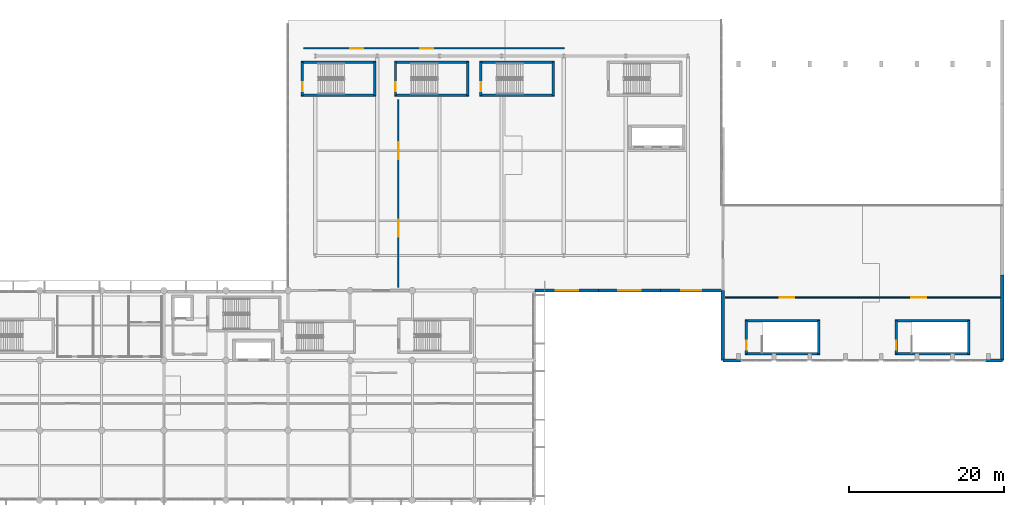
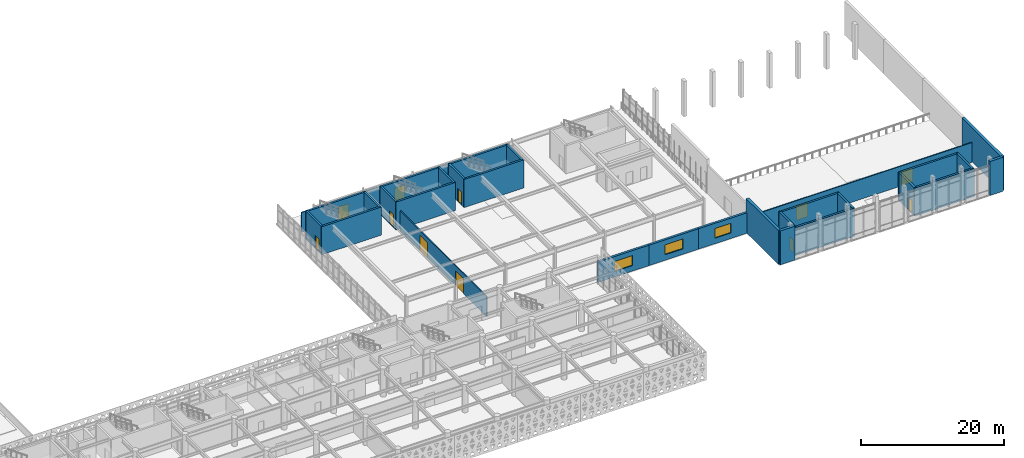
# One storey, part 39 of 54: 30 walls, 11 doors, 3 windows, 14 openings.
"""IFC4 building model written with IfcOpenShell, lengths in metres."""

from ifc_helpers import new_model, si_unit, direction, frame, frame_2d, origin, place, context, subcontext, project, spatial, rectangle, extrude, material, layer, layer_set, type_object, element, fill, save


model = new_model("IFC4")

# Units and contexts
model_context = context("Model", 3, precision=1e-05, world=origin(), true_north=direction((0.0, 1.0)))
body_context = subcontext(model_context, "Body", "Model", "MODEL_VIEW")
ifc_project = project(units=[si_unit("LENGTHUNIT", "METRE"), si_unit("AREAUNIT", "SQUARE_METRE"), si_unit("VOLUMEUNIT", "CUBIC_METRE"), si_unit("PLANEANGLEUNIT", "RADIAN"), si_unit("MASSUNIT", "GRAM", prefix="KILO")], contexts=[model_context])

# Site, building, storey
site_placement = place(None, origin())
site = spatial("IfcSite", under=ifc_project, at=site_placement, CompositionType="ELEMENT")
building_placement = place(site_placement, origin())
building = spatial("IfcBuilding", under=site, at=building_placement, Name="Tlacozan Convention Centre", CompositionType="ELEMENT")
storey_placement = place(building_placement, frame((0.0, 0.0, 11.39990234375)))
storey = spatial("IfcBuildingStorey", under=building, at=storey_placement, Name="L02", CompositionType="ELEMENT", Elevation=11.39990234375)

# Wall, opening, window
ifc_material_1 = material(Name="Volcanic Cantera Stone Masonry", Category="masonry")
ifc_layer_1 = layer(ifc_material_1, 0.35009765625)
ifc_layer_set_1 = layer_set([ifc_layer_1], Name="Volcanic Cantera Stone Masonry")
wall_type_1 = type_object("IfcWallType", Name="Cantera Cavity Facade Wall 350", PredefinedType="SOLIDWALL", material=ifc_layer_set_1)
wall_1_placement = place(storey_placement, frame((119.800048828125, 27.0, 0.0), z_axis=(0.0, 0.0, 1.0), x_axis=(1.0, 0.0, 0.0)))
wall_1 = element("IfcWall", 1, at=wall_1_placement, inside=storey, type_object=wall_type_1, Name="L02 Cantera Cavity Facade Wall 350 190", PredefinedType="SOLIDWALL", context=body_context, shape_type="SweptSolid", body=[
    extrude(rectangle(XDim=8.199951171875, YDim=0.35009765625, at=frame_2d((4.10009765625, 0.0))), origin(), (0.0, 0.0, 1.0), 3.5),
])
opening_1_placement = place(wall_1_placement, frame((2.64990234375, 0.0, 0.949951171875)))
opening_1 = element("IfcOpeningElement", 2, at=opening_1_placement, cuts=wall_1, Name="Opening WN-16", PredefinedType="OPENING", context=body_context, shape_type="SweptSolid", body=[
    extrude(rectangle(XDim=2.89990234375, YDim=1.699951171875, at=frame_2d((1.449951171875, 0.85009765625))), frame((0.0, 0.18505859375, 0.0), z_axis=(0.0, -1.0, 0.0), x_axis=(1.0, 0.0, 0.0)), (0.0, 0.0, 1.0), 0.3701171875),
])
ifc_material_2 = material(Name="Solar Control Double Low-E Argon Glazing", Category="glass")
window_type_1 = type_object("IfcWindowType", Name="Business Centre Window 2900x1700", PartitioningType="SINGLE_PANEL", PredefinedType="WINDOW", material=ifc_material_2)
window_1_placement = place(opening_1_placement, origin())
window_1 = element("IfcWindow", 3, at=window_1_placement, inside=storey, type_object=window_type_1, Name="L02 Business Centre Window 2900x1700 60", OverallHeight=1.699951171875, OverallWidth=2.89990234375, PartitioningType="SINGLE_PANEL", PredefinedType="WINDOW", context=body_context, shape_type="SweptSolid", body=[
    extrude(rectangle(XDim=2.89990234375, YDim=1.699951171875, at=frame_2d((1.449951171875, 0.85009765625))), frame((0.0, 0.030029296875, 0.0), z_axis=(0.0, -1.0, 0.0), x_axis=(1.0, 0.0, 0.0)), (0.0, 0.0, 1.0), 0.06005859375),
])
fill(opening_1, window_1)

wall_2_placement = place(storey_placement, frame((128.0, 27.0, 0.0), z_axis=(0.0, 0.0, 1.0), x_axis=(1.0, 0.0, 0.0)))
wall_2 = element("IfcWall", 4, at=wall_2_placement, inside=storey, type_object=wall_type_1, Name="L02 Cantera Cavity Facade Wall 350 192", PredefinedType="SOLIDWALL", context=body_context, shape_type="SweptSolid", body=[
    extrude(rectangle(XDim=8.0, YDim=0.35009765625, at=frame_2d((4.0, 0.0))), origin(), (0.0, 0.0, 1.0), 3.5),
])
opening_2_placement = place(wall_2_placement, frame((2.550048828125, 0.0, 0.949951171875)))
opening_2 = element("IfcOpeningElement", 5, at=opening_2_placement, cuts=wall_2, Name="Opening WN-16", PredefinedType="OPENING", context=body_context, shape_type="SweptSolid", body=[
    extrude(rectangle(XDim=2.89990234375, YDim=1.699951171875, at=frame_2d((1.449951171875, 0.85009765625))), frame((0.0, 0.18505859375, 0.0), z_axis=(0.0, -1.0, 0.0), x_axis=(1.0, 0.0, 0.0)), (0.0, 0.0, 1.0), 0.3701171875),
])
window_2_placement = place(opening_2_placement, origin())
window_2 = element("IfcWindow", 6, at=window_2_placement, inside=storey, type_object=window_type_1, Name="L02 Business Centre Window 2900x1700 61", OverallHeight=1.699951171875, OverallWidth=2.89990234375, PartitioningType="SINGLE_PANEL", PredefinedType="WINDOW", context=body_context, shape_type="SweptSolid", body=[
    extrude(rectangle(XDim=2.89990234375, YDim=1.699951171875, at=frame_2d((1.449951171875, 0.85009765625))), frame((0.0, 0.030029296875, 0.0), z_axis=(0.0, -1.0, 0.0), x_axis=(1.0, 0.0, 0.0)), (0.0, 0.0, 1.0), 0.06005859375),
])
fill(opening_2, window_2)

wall_3_placement = place(storey_placement, frame((136.0, 27.0, 0.0), z_axis=(0.0, 0.0, 1.0), x_axis=(1.0, 0.0, 0.0)))
wall_3 = element("IfcWall", 7, at=wall_3_placement, inside=storey, type_object=wall_type_1, Name="L02 Cantera Cavity Facade Wall 350 194", PredefinedType="SOLIDWALL", context=body_context, shape_type="SweptSolid", body=[
    extrude(rectangle(XDim=7.85009765625, YDim=0.35009765625, at=frame_2d((3.925048828125, 0.0))), origin(), (0.0, 0.0, 1.0), 3.5),
])
opening_3_placement = place(wall_3_placement, frame((2.625, 0.0, 0.949951171875)))
opening_3 = element("IfcOpeningElement", 8, at=opening_3_placement, cuts=wall_3, Name="Opening WN-15", PredefinedType="OPENING", context=body_context, shape_type="SweptSolid", body=[
    extrude(rectangle(XDim=2.60009765625, YDim=1.64990234375, at=frame_2d((1.300048828125, 0.824951171875))), frame((0.0, 0.18505859375, 0.0), z_axis=(0.0, -1.0, 0.0), x_axis=(1.0, 0.0, 0.0)), (0.0, 0.0, 1.0), 0.3701171875),
])
window_type_2 = type_object("IfcWindowType", Name="Organiser Office Window 2600x1650", PartitioningType="SINGLE_PANEL", PredefinedType="WINDOW", material=ifc_material_2)
window_3_placement = place(opening_3_placement, origin())
window_3 = element("IfcWindow", 9, at=window_3_placement, inside=storey, type_object=window_type_2, Name="L02 Organiser Office Window 2600x1650 63", OverallHeight=1.64990234375, OverallWidth=2.60009765625, PartitioningType="SINGLE_PANEL", PredefinedType="WINDOW", context=body_context, shape_type="SweptSolid", body=[
    extrude(rectangle(XDim=2.60009765625, YDim=1.64990234375, at=frame_2d((1.300048828125, 0.824951171875))), frame((0.0, 0.030029296875, 0.0), z_axis=(0.0, -1.0, 0.0), x_axis=(1.0, 0.0, 0.0)), (0.0, 0.0, 1.0), 0.06005859375),
])
fill(opening_3, window_3)

# Wall, openings, doors
ifc_material_3 = material(Name="Acoustic Double-Stud Partition Assembly")
ifc_layer_2 = layer(ifc_material_3, 0.159912109375)
ifc_layer_set_2 = layer_set([ifc_layer_2], Name="Acoustic Double-Stud Partition Assembly")
wall_type_2 = type_object("IfcWallType", Name="Meeting Acoustic Partition 160", PredefinedType="PARTITIONING", material=ifc_layer_set_2)
wall_4_placement = place(storey_placement, frame((102.199951171875, 27.39990234375, 0.0), z_axis=(0.0, 0.0, 1.0), x_axis=(0.0, 1.0, 0.0)))
wall_4 = element("IfcWall", 10, at=wall_4_placement, inside=storey, type_object=wall_type_2, Name="L02 Meeting Acoustic Partition 160 623", PredefinedType="PARTITIONING", context=body_context, shape_type="SweptSolid", body=[
    extrude(rectangle(XDim=24.2001953125, YDim=0.159912109375, at=frame_2d((12.10009765625, 0.0))), origin(), (0.0, 0.0, 1.0), 3.400146484375),
])
opening_4_placement = place(wall_4_placement, frame((6.5, 0.0, 0.0)))
opening_4 = element("IfcOpeningElement", 11, at=opening_4_placement, cuts=wall_4, Name="Opening ID-08", PredefinedType="OPENING", context=body_context, shape_type="SweptSolid", body=[
    extrude(rectangle(XDim=2.199951171875, YDim=2.60009765625, at=frame_2d((1.10009765625, 1.300048828125))), frame((0.0, 0.08984375, 0.0), z_axis=(0.0, -1.0, 0.0), x_axis=(1.0, 0.0, 0.0)), (0.0, 0.0, 1.0), 0.179931640625),
])
opening_5_placement = place(wall_4_placement, frame((16.5, 0.0, 0.0)))
opening_5 = element("IfcOpeningElement", 12, at=opening_5_placement, cuts=wall_4, Name="Opening ID-08", PredefinedType="OPENING", context=body_context, shape_type="SweptSolid", body=[
    extrude(rectangle(XDim=2.199951171875, YDim=2.60009765625, at=frame_2d((1.10009765625, 1.300048828125))), frame((0.0, 0.08984375, 0.0), z_axis=(0.0, -1.0, 0.0), x_axis=(1.0, 0.0, 0.0)), (0.0, 0.0, 1.0), 0.179931640625),
])
ifc_material_4 = material(Name="Acoustic Solid-Core Oak Veneer Door")
door_type_1 = type_object("IfcDoorType", Name="Ballroom Acoustic Double Door 2200x2600", OperationType="DOUBLE_DOOR_SINGLE_SWING", PredefinedType="DOOR", material=ifc_material_4)
door_1_placement = place(opening_4_placement, origin())
door_1 = element("IfcDoor", 13, at=door_1_placement, inside=storey, type_object=door_type_1, Name="L02 Ballroom Acoustic Double Door 2200x2600 222", OperationType="DOUBLE_DOOR_SINGLE_SWING", OverallHeight=2.60009765625, OverallWidth=2.199951171875, PredefinedType="DOOR", context=body_context, shape_type="SweptSolid", body=[
    extrude(rectangle(XDim=2.199951171875, YDim=2.60009765625, at=frame_2d((1.10009765625, 1.300048828125))), frame((0.0, 0.02490234375, 0.0), z_axis=(0.0, -1.0, 0.0), x_axis=(1.0, 0.0, 0.0)), (0.0, 0.0, 1.0), 0.050048828125),
])
fill(opening_4, door_1)
door_2_placement = place(opening_5_placement, origin())
door_2 = element("IfcDoor", 14, at=door_2_placement, inside=storey, type_object=door_type_1, Name="L02 Ballroom Acoustic Double Door 2200x2600 223", OperationType="DOUBLE_DOOR_SINGLE_SWING", OverallHeight=2.60009765625, OverallWidth=2.199951171875, PredefinedType="DOOR", context=body_context, shape_type="SweptSolid", body=[
    extrude(rectangle(XDim=2.199951171875, YDim=2.60009765625, at=frame_2d((1.10009765625, 1.300048828125))), frame((0.0, 0.02490234375, 0.0), z_axis=(0.0, -1.0, 0.0), x_axis=(1.0, 0.0, 0.0)), (0.0, 0.0, 1.0), 0.050048828125),
])
fill(opening_5, door_2)

wall_5_placement = place(storey_placement, frame((90.0, 58.199951171875, 0.0), z_axis=(0.0, 0.0, 1.0), x_axis=(1.0, 0.0, 0.0)))
wall_5 = element("IfcWall", 15, at=wall_5_placement, inside=storey, type_object=wall_type_2, Name="L02 Meeting Acoustic Partition 160 624", PredefinedType="PARTITIONING", context=body_context, shape_type="SweptSolid", body=[
    extrude(rectangle(XDim=33.60009765625, YDim=0.159912109375, at=frame_2d((16.800048828125, 0.0))), origin(), (0.0, 0.0, 1.0), 3.400146484375),
])
opening_6_placement = place(wall_5_placement, frame((6.0, 0.0, 0.0)))
opening_6 = element("IfcOpeningElement", 16, at=opening_6_placement, cuts=wall_5, Name="Opening ID-11", PredefinedType="OPENING", context=body_context, shape_type="SweptSolid", body=[
    extrude(rectangle(XDim=1.699951171875, YDim=2.25, at=frame_2d((0.85009765625, 1.125))), frame((0.0, 0.08984375, 0.0), z_axis=(0.0, -1.0, 0.0), x_axis=(1.0, 0.0, 0.0)), (0.0, 0.0, 1.0), 0.179931640625),
])
opening_7_placement = place(wall_5_placement, frame((15.0, 0.0, 0.0)))
opening_7 = element("IfcOpeningElement", 17, at=opening_7_placement, cuts=wall_5, Name="Opening ID-11", PredefinedType="OPENING", context=body_context, shape_type="SweptSolid", body=[
    extrude(rectangle(XDim=1.699951171875, YDim=2.25, at=frame_2d((0.85009765625, 1.125))), frame((0.0, 0.08984375, 0.0), z_axis=(0.0, -1.0, 0.0), x_axis=(1.0, 0.0, 0.0)), (0.0, 0.0, 1.0), 0.179931640625),
])
door_type_2 = type_object("IfcDoorType", Name="Banquet Kitchen Double Swing Door 1700x2250", OperationType="DOUBLE_SWING_LEFT", PredefinedType="DOOR", material=ifc_material_4)
door_3_placement = place(opening_6_placement, origin())
door_3 = element("IfcDoor", 18, at=door_3_placement, inside=storey, type_object=door_type_2, Name="L02 Banquet Kitchen Double Swing Door 1700x2250 224", OperationType="DOUBLE_SWING_LEFT", OverallHeight=2.25, OverallWidth=1.699951171875, PredefinedType="DOOR", context=body_context, shape_type="SweptSolid", body=[
    extrude(rectangle(XDim=1.699951171875, YDim=2.25, at=frame_2d((0.85009765625, 1.125))), frame((0.0, 0.02490234375, 0.0), z_axis=(0.0, -1.0, 0.0), x_axis=(1.0, 0.0, 0.0)), (0.0, 0.0, 1.0), 0.050048828125),
])
fill(opening_6, door_3)
door_4_placement = place(opening_7_placement, origin())
door_4 = element("IfcDoor", 19, at=door_4_placement, inside=storey, type_object=door_type_2, Name="L02 Banquet Kitchen Double Swing Door 1700x2250 225", OperationType="DOUBLE_SWING_LEFT", OverallHeight=2.25, OverallWidth=1.699951171875, PredefinedType="DOOR", context=body_context, shape_type="SweptSolid", body=[
    extrude(rectangle(XDim=1.699951171875, YDim=2.25, at=frame_2d((0.85009765625, 1.125))), frame((0.0, 0.02490234375, 0.0), z_axis=(0.0, -1.0, 0.0), x_axis=(1.0, 0.0, 0.0)), (0.0, 0.0, 1.0), 0.050048828125),
])
fill(opening_7, door_4)

wall_6_placement = place(storey_placement, frame((144.300048828125, 26.10009765625, 0.0), z_axis=(0.0, 0.0, 1.0), x_axis=(1.0, 0.0, 0.0)))
wall_6 = element("IfcWall", 20, at=wall_6_placement, inside=storey, type_object=wall_type_2, Name="L02 Meeting Acoustic Partition 160 626", PredefinedType="PARTITIONING", context=body_context, shape_type="SweptSolid", body=[
    extrude(rectangle(XDim=35.39990234375, YDim=0.159912109375, at=frame_2d((17.699951171875, 0.0))), origin(), (0.0, 0.0, 1.0), 3.400146484375),
])
opening_8_placement = place(wall_6_placement, frame((7.0, 0.0, 0.0)))
opening_8 = element("IfcOpeningElement", 21, at=opening_8_placement, cuts=wall_6, Name="Opening ID-09", PredefinedType="OPENING", context=body_context, shape_type="SweptSolid", body=[
    extrude(rectangle(XDim=1.89990234375, YDim=2.39990234375, at=frame_2d((0.949951171875, 1.199951171875))), frame((0.0, 0.08984375, 0.0), z_axis=(0.0, -1.0, 0.0), x_axis=(1.0, 0.0, 0.0)), (0.0, 0.0, 1.0), 0.179931640625),
])
opening_9_placement = place(wall_6_placement, frame((24.0, 0.0, 0.0)))
opening_9 = element("IfcOpeningElement", 22, at=opening_9_placement, cuts=wall_6, Name="Opening ID-09", PredefinedType="OPENING", context=body_context, shape_type="SweptSolid", body=[
    extrude(rectangle(XDim=1.89990234375, YDim=2.39990234375, at=frame_2d((0.949951171875, 1.199951171875))), frame((0.0, 0.08984375, 0.0), z_axis=(0.0, -1.0, 0.0), x_axis=(1.0, 0.0, 0.0)), (0.0, 0.0, 1.0), 0.179931640625),
])
door_type_3 = type_object("IfcDoorType", Name="Auditorium Vomitory Double Door 1900x2400", OperationType="DOUBLE_DOOR_SINGLE_SWING", PredefinedType="DOOR", material=ifc_material_4)
door_5_placement = place(opening_8_placement, origin())
door_5 = element("IfcDoor", 23, at=door_5_placement, inside=storey, type_object=door_type_3, Name="L02 Auditorium Vomitory Double Door 1900x2400 227", OperationType="DOUBLE_DOOR_SINGLE_SWING", OverallHeight=2.39990234375, OverallWidth=1.89990234375, PredefinedType="DOOR", context=body_context, shape_type="SweptSolid", body=[
    extrude(rectangle(XDim=1.89990234375, YDim=2.39990234375, at=frame_2d((0.949951171875, 1.199951171875))), frame((0.0, 0.02490234375, 0.0), z_axis=(0.0, -1.0, 0.0), x_axis=(1.0, 0.0, 0.0)), (0.0, 0.0, 1.0), 0.050048828125),
])
fill(opening_8, door_5)
door_6_placement = place(opening_9_placement, origin())
door_6 = element("IfcDoor", 24, at=door_6_placement, inside=storey, type_object=door_type_3, Name="L02 Auditorium Vomitory Double Door 1900x2400 228", OperationType="DOUBLE_DOOR_SINGLE_SWING", OverallHeight=2.39990234375, OverallWidth=1.89990234375, PredefinedType="DOOR", context=body_context, shape_type="SweptSolid", body=[
    extrude(rectangle(XDim=1.89990234375, YDim=2.39990234375, at=frame_2d((0.949951171875, 1.199951171875))), frame((0.0, 0.02490234375, 0.0), z_axis=(0.0, -1.0, 0.0), x_axis=(1.0, 0.0, 0.0)), (0.0, 0.0, 1.0), 0.050048828125),
])
fill(opening_9, door_6)

# Walls
ifc_material_5 = material(Name="Concrete C40/50", Category="concrete")
ifc_layer_3 = layer(ifc_material_5, 0.429931640625)
ifc_layer_set_3 = layer_set([ifc_layer_3], Name="Concrete C40/50")
wall_type_3 = type_object("IfcWallType", Name="Plenary Acoustic Stone Wall 430", PredefinedType="SOLIDWALL", material=ifc_layer_set_3)
wall_7_placement = place(storey_placement, frame((180.0, 18.0, 0.0), z_axis=(0.0, 0.0, 1.0), x_axis=(0.0, 1.0, 0.0)))
element("IfcWall", 25, at=wall_7_placement, inside=storey, type_object=wall_type_3, Name="L02 Plenary Acoustic Stone Wall 430 160", PredefinedType="SOLIDWALL", context=body_context, shape_type="SweptSolid", body=[
    extrude(rectangle(XDim=11.0, YDim=0.429931640625, at=frame_2d((5.5, 0.0))), origin(), (0.0, 0.0, 1.0), 5.800048828125),
])
wall_8_placement = place(storey_placement, frame((144.0, 18.0, 0.0), z_axis=(0.0, 0.0, 1.0), x_axis=(1.0, 0.0, 0.0)))
element("IfcWall", 26, at=wall_8_placement, inside=storey, type_object=wall_type_3, Name="L02 Plenary Acoustic Stone Wall 430 178", PredefinedType="SOLIDWALL", context=body_context, shape_type="SweptSolid", body=[
    extrude(rectangle(XDim=2.35009765625, YDim=0.429931640625, at=frame_2d((1.175048828125, 0.0))), origin(), (0.0, 0.0, 1.0), 5.800048828125),
])
wall_9_placement = place(storey_placement, frame((177.85009765625, 18.0, 0.0), z_axis=(0.0, 0.0, 1.0), x_axis=(1.0, 0.0, 0.0)))
element("IfcWall", 27, at=wall_9_placement, inside=storey, type_object=wall_type_3, Name="L02 Plenary Acoustic Stone Wall 430 179", PredefinedType="SOLIDWALL", context=body_context, shape_type="SweptSolid", body=[
    extrude(rectangle(XDim=2.14990234375, YDim=0.429931640625, at=frame_2d((1.074951171875, 0.0))), origin(), (0.0, 0.0, 1.0), 5.800048828125),
])
wall_10_placement = place(storey_placement, frame((144.0, 18.0, 0.0), z_axis=(0.0, 0.0, 1.0), x_axis=(0.0, 1.0, 0.0)))
element("IfcWall", 28, at=wall_10_placement, inside=storey, type_object=wall_type_3, Name="L02 Plenary Acoustic Stone Wall 430 180", PredefinedType="SOLIDWALL", context=body_context, shape_type="SweptSolid", body=[
    extrude(rectangle(XDim=9.0, YDim=0.429931640625, at=frame_2d((4.5, 0.0))), origin(), (0.0, 0.0, 1.0), 5.800048828125),
])
ifc_layer_4 = layer(ifc_material_5, 0.31005859375)
ifc_layer_set_4 = layer_set([ifc_layer_4], Name="Concrete C40/50")
wall_type_4 = type_object("IfcWallType", Name="Stair Shaft Shear Wall RC 310", PredefinedType="SHEAR", material=ifc_layer_set_4)
for number, where, z_axis, x_axis, name in (
    (29, (89.68505859375, 52.139892578125, 0.0), (0.0, 0.0, 1.0), (1.0, 0.0, 0.0), "L02 Stair Shaft Shear Wall RC 310 389"),
    (30, (89.68505859375, 56.419921875, 0.0), (0.0, 0.0, 1.0), (1.0, 0.0, 0.0), "L02 Stair Shaft Shear Wall RC 310 390"),
):
    element("IfcWall", number, at=place(storey_placement, frame(where, z_axis=z_axis, x_axis=x_axis)), inside=storey, type_object=wall_type_4, Name=name, PredefinedType="SHEAR", context=body_context, shape_type="SweptSolid", body=[
        extrude(rectangle(XDim=9.6298828125, YDim=0.31005859375, at=frame_2d((4.81494140625, 0.0))), origin(), (0.0, 0.0, 1.0), 4.800048828125),
    ])

# Wall, opening, door
wall_11_placement = place(storey_placement, frame((89.840087890625, 52.139892578125, 0.0), z_axis=(0.0, 0.0, 1.0), x_axis=(0.0, 1.0, 0.0)))
wall_11 = element("IfcWall", 31, at=wall_11_placement, inside=storey, type_object=wall_type_4, Name="L02 Stair Shaft Shear Wall RC 310 391", PredefinedType="SHEAR", context=body_context, shape_type="SweptSolid", body=[
    extrude(rectangle(XDim=4.280029296875, YDim=0.31005859375, at=frame_2d((2.14013671875, 0.0))), origin(), (0.0, 0.0, 1.0), 4.800048828125),
])
opening_10_placement = place(wall_11_placement, frame((0.550048828125, 0.0, 0.0)))
opening_10 = element("IfcOpeningElement", 32, at=opening_10_placement, cuts=wall_11, Name="Opening FD-02", PredefinedType="OPENING", context=body_context, shape_type="SweptSolid", body=[
    extrude(rectangle(XDim=1.14990234375, YDim=2.199951171875, at=frame_2d((0.574951171875, 1.10009765625))), frame((0.0, 0.1650390625, 0.0), z_axis=(0.0, -1.0, 0.0), x_axis=(1.0, 0.0, 0.0)), (0.0, 0.0, 1.0), 0.330078125),
])
ifc_material_6 = material(Name="Fire-Rated Insulated Steel Door Leaf", Category="steel")
door_type_4 = type_object("IfcDoorType", Name="Fire Door Stair 1150x2200 FD90", OperationType="NOTDEFINED", PredefinedType="DOOR", material=ifc_material_6)
door_7_placement = place(opening_10_placement, origin())
door_7 = element("IfcDoor", 33, at=door_7_placement, inside=storey, type_object=door_type_4, Name="L02 Stair ST-06 Access Door", OperationType="SINGLE_SWING_RIGHT", OverallHeight=2.199951171875, OverallWidth=1.14990234375, PredefinedType="DOOR", context=body_context, shape_type="SweptSolid", body=[
    extrude(rectangle(XDim=1.14990234375, YDim=2.199951171875, at=frame_2d((0.574951171875, 1.10009765625))), frame((0.0, 0.02490234375, 0.0), z_axis=(0.0, -1.0, 0.0), x_axis=(1.0, 0.0, 0.0)), (0.0, 0.0, 1.0), 0.050048828125),
])
fill(opening_10, door_7)

# Walls
wall_12_placement = place(storey_placement, frame((99.159912109375, 52.139892578125, 0.0), z_axis=(0.0, 0.0, 1.0), x_axis=(0.0, 1.0, 0.0)))
element("IfcWall", 34, at=wall_12_placement, inside=storey, type_object=wall_type_4, Name="L02 Stair Shaft Shear Wall RC 310 392", PredefinedType="SHEAR", context=body_context, shape_type="SweptSolid", body=[
    extrude(rectangle(XDim=4.280029296875, YDim=0.31005859375, at=frame_2d((2.14013671875, 0.0))), origin(), (0.0, 0.0, 1.0), 4.800048828125),
])
for number, where, z_axis, x_axis, name in (
    (35, (101.68505859375, 52.139892578125, 0.0), (0.0, 0.0, 1.0), (1.0, 0.0, 0.0), "L02 Stair Shaft Shear Wall RC 310 409"),
    (36, (101.68505859375, 56.419921875, 0.0), (0.0, 0.0, 1.0), (1.0, 0.0, 0.0), "L02 Stair Shaft Shear Wall RC 310 410"),
):
    element("IfcWall", number, at=place(storey_placement, frame(where, z_axis=z_axis, x_axis=x_axis)), inside=storey, type_object=wall_type_4, Name=name, PredefinedType="SHEAR", context=body_context, shape_type="SweptSolid", body=[
        extrude(rectangle(XDim=9.6298828125, YDim=0.31005859375, at=frame_2d((4.81494140625, 0.0))), origin(), (0.0, 0.0, 1.0), 4.800048828125),
    ])

# Wall, opening, door
wall_13_placement = place(storey_placement, frame((101.840087890625, 52.139892578125, 0.0), z_axis=(0.0, 0.0, 1.0), x_axis=(0.0, 1.0, 0.0)))
wall_13 = element("IfcWall", 37, at=wall_13_placement, inside=storey, type_object=wall_type_4, Name="L02 Stair Shaft Shear Wall RC 310 411", PredefinedType="SHEAR", context=body_context, shape_type="SweptSolid", body=[
    extrude(rectangle(XDim=4.280029296875, YDim=0.31005859375, at=frame_2d((2.14013671875, 0.0))), origin(), (0.0, 0.0, 1.0), 4.800048828125),
])
opening_11_placement = place(wall_13_placement, frame((0.550048828125, 0.0, 0.0)))
opening_11 = element("IfcOpeningElement", 38, at=opening_11_placement, cuts=wall_13, Name="Opening FD-02", PredefinedType="OPENING", context=body_context, shape_type="SweptSolid", body=[
    extrude(rectangle(XDim=1.14990234375, YDim=2.199951171875, at=frame_2d((0.574951171875, 1.10009765625))), frame((0.0, 0.1650390625, 0.0), z_axis=(0.0, -1.0, 0.0), x_axis=(1.0, 0.0, 0.0)), (0.0, 0.0, 1.0), 0.330078125),
])
door_8_placement = place(opening_11_placement, origin())
door_8 = element("IfcDoor", 39, at=door_8_placement, inside=storey, type_object=door_type_4, Name="L02 Stair ST-17 Access Door", OperationType="SINGLE_SWING_LEFT", OverallHeight=2.199951171875, OverallWidth=1.14990234375, PredefinedType="DOOR", context=body_context, shape_type="SweptSolid", body=[
    extrude(rectangle(XDim=1.14990234375, YDim=2.199951171875, at=frame_2d((0.574951171875, 1.10009765625))), frame((0.0, 0.02490234375, 0.0), z_axis=(0.0, -1.0, 0.0), x_axis=(1.0, 0.0, 0.0)), (0.0, 0.0, 1.0), 0.050048828125),
])
fill(opening_11, door_8)

# Walls
wall_14_placement = place(storey_placement, frame((111.159912109375, 52.139892578125, 0.0), z_axis=(0.0, 0.0, 1.0), x_axis=(0.0, 1.0, 0.0)))
element("IfcWall", 40, at=wall_14_placement, inside=storey, type_object=wall_type_4, Name="L02 Stair Shaft Shear Wall RC 310 412", PredefinedType="SHEAR", context=body_context, shape_type="SweptSolid", body=[
    extrude(rectangle(XDim=4.280029296875, YDim=0.31005859375, at=frame_2d((2.14013671875, 0.0))), origin(), (0.0, 0.0, 1.0), 4.800048828125),
])
for number, where, z_axis, x_axis, name in (
    (41, (112.68505859375, 52.139892578125, 0.0), (0.0, 0.0, 1.0), (1.0, 0.0, 0.0), "L02 Stair Shaft Shear Wall RC 310 429"),
    (42, (112.68505859375, 56.419921875, 0.0), (0.0, 0.0, 1.0), (1.0, 0.0, 0.0), "L02 Stair Shaft Shear Wall RC 310 430"),
):
    element("IfcWall", number, at=place(storey_placement, frame(where, z_axis=z_axis, x_axis=x_axis)), inside=storey, type_object=wall_type_4, Name=name, PredefinedType="SHEAR", context=body_context, shape_type="SweptSolid", body=[
        extrude(rectangle(XDim=9.6298828125, YDim=0.31005859375, at=frame_2d((4.81494140625, 0.0))), origin(), (0.0, 0.0, 1.0), 4.800048828125),
    ])

# Wall, opening, door
wall_15_placement = place(storey_placement, frame((112.840087890625, 52.139892578125, 0.0), z_axis=(0.0, 0.0, 1.0), x_axis=(0.0, 1.0, 0.0)))
wall_15 = element("IfcWall", 43, at=wall_15_placement, inside=storey, type_object=wall_type_4, Name="L02 Stair Shaft Shear Wall RC 310 431", PredefinedType="SHEAR", context=body_context, shape_type="SweptSolid", body=[
    extrude(rectangle(XDim=4.280029296875, YDim=0.31005859375, at=frame_2d((2.14013671875, 0.0))), origin(), (0.0, 0.0, 1.0), 4.800048828125),
])
opening_12_placement = place(wall_15_placement, frame((0.550048828125, 0.0, 0.0)))
opening_12 = element("IfcOpeningElement", 44, at=opening_12_placement, cuts=wall_15, Name="Opening FD-02", PredefinedType="OPENING", context=body_context, shape_type="SweptSolid", body=[
    extrude(rectangle(XDim=1.14990234375, YDim=2.199951171875, at=frame_2d((0.574951171875, 1.10009765625))), frame((0.0, 0.1650390625, 0.0), z_axis=(0.0, -1.0, 0.0), x_axis=(1.0, 0.0, 0.0)), (0.0, 0.0, 1.0), 0.330078125),
])
door_9_placement = place(opening_12_placement, origin())
door_9 = element("IfcDoor", 45, at=door_9_placement, inside=storey, type_object=door_type_4, Name="L02 Stair ST-18 Access Door", OperationType="SINGLE_SWING_RIGHT", OverallHeight=2.199951171875, OverallWidth=1.14990234375, PredefinedType="DOOR", context=body_context, shape_type="SweptSolid", body=[
    extrude(rectangle(XDim=1.14990234375, YDim=2.199951171875, at=frame_2d((0.574951171875, 1.10009765625))), frame((0.0, 0.02490234375, 0.0), z_axis=(0.0, -1.0, 0.0), x_axis=(1.0, 0.0, 0.0)), (0.0, 0.0, 1.0), 0.050048828125),
])
fill(opening_12, door_9)

# Walls
wall_16_placement = place(storey_placement, frame((122.159912109375, 52.139892578125, 0.0), z_axis=(0.0, 0.0, 1.0), x_axis=(0.0, 1.0, 0.0)))
element("IfcWall", 46, at=wall_16_placement, inside=storey, type_object=wall_type_4, Name="L02 Stair Shaft Shear Wall RC 310 432", PredefinedType="SHEAR", context=body_context, shape_type="SweptSolid", body=[
    extrude(rectangle(XDim=4.280029296875, YDim=0.31005859375, at=frame_2d((2.14013671875, 0.0))), origin(), (0.0, 0.0, 1.0), 4.800048828125),
])
for number, where, z_axis, x_axis, name in (
    (47, (166.18505859375, 18.840087890625, 0.0), (0.0, 0.0, 1.0), (1.0, 0.0, 0.0), "L02 Stair Shaft Shear Wall RC 310 449"),
    (48, (166.18505859375, 23.1201171875, 0.0), (0.0, 0.0, 1.0), (1.0, 0.0, 0.0), "L02 Stair Shaft Shear Wall RC 310 450"),
):
    element("IfcWall", number, at=place(storey_placement, frame(where, z_axis=z_axis, x_axis=x_axis)), inside=storey, type_object=wall_type_4, Name=name, PredefinedType="SHEAR", context=body_context, shape_type="SweptSolid", body=[
        extrude(rectangle(XDim=9.6298828125, YDim=0.31005859375, at=frame_2d((4.81494140625, 0.0))), origin(), (0.0, 0.0, 1.0), 4.800048828125),
    ])

# Wall, opening, door
wall_17_placement = place(storey_placement, frame((166.340087890625, 18.840087890625, 0.0), z_axis=(0.0, 0.0, 1.0), x_axis=(0.0, 1.0, 0.0)))
wall_17 = element("IfcWall", 49, at=wall_17_placement, inside=storey, type_object=wall_type_4, Name="L02 Stair Shaft Shear Wall RC 310 451", PredefinedType="SHEAR", context=body_context, shape_type="SweptSolid", body=[
    extrude(rectangle(XDim=4.280029296875, YDim=0.31005859375, at=frame_2d((2.14013671875, 0.0))), origin(), (0.0, 0.0, 1.0), 4.800048828125),
])
opening_13_placement = place(wall_17_placement, frame((0.550048828125, 0.0, 0.0)))
opening_13 = element("IfcOpeningElement", 50, at=opening_13_placement, cuts=wall_17, Name="Opening FD-02", PredefinedType="OPENING", context=body_context, shape_type="SweptSolid", body=[
    extrude(rectangle(XDim=1.14990234375, YDim=2.199951171875, at=frame_2d((0.574951171875, 1.10009765625))), frame((0.0, 0.1650390625, 0.0), z_axis=(0.0, -1.0, 0.0), x_axis=(1.0, 0.0, 0.0)), (0.0, 0.0, 1.0), 0.330078125),
])
door_10_placement = place(opening_13_placement, origin())
door_10 = element("IfcDoor", 51, at=door_10_placement, inside=storey, type_object=door_type_4, Name="L02 Stair ST-07 Access Door", OperationType="SINGLE_SWING_LEFT", OverallHeight=2.199951171875, OverallWidth=1.14990234375, PredefinedType="DOOR", context=body_context, shape_type="SweptSolid", body=[
    extrude(rectangle(XDim=1.14990234375, YDim=2.199951171875, at=frame_2d((0.574951171875, 1.10009765625))), frame((0.0, 0.02490234375, 0.0), z_axis=(0.0, -1.0, 0.0), x_axis=(1.0, 0.0, 0.0)), (0.0, 0.0, 1.0), 0.050048828125),
])
fill(opening_13, door_10)

# Walls
wall_18_placement = place(storey_placement, frame((175.659912109375, 18.840087890625, 0.0), z_axis=(0.0, 0.0, 1.0), x_axis=(0.0, 1.0, 0.0)))
element("IfcWall", 52, at=wall_18_placement, inside=storey, type_object=wall_type_4, Name="L02 Stair Shaft Shear Wall RC 310 452", PredefinedType="SHEAR", context=body_context, shape_type="SweptSolid", body=[
    extrude(rectangle(XDim=4.280029296875, YDim=0.31005859375, at=frame_2d((2.14013671875, 0.0))), origin(), (0.0, 0.0, 1.0), 4.800048828125),
])
for number, where, z_axis, x_axis, name in (
    (53, (146.885009765625, 18.840087890625, 0.0), (0.0, 0.0, 1.0), (1.0, 0.0, 0.0), "L02 Stair Shaft Shear Wall RC 310 465"),
    (54, (146.885009765625, 23.1201171875, 0.0), (0.0, 0.0, 1.0), (1.0, 0.0, 0.0), "L02 Stair Shaft Shear Wall RC 310 466"),
):
    element("IfcWall", number, at=place(storey_placement, frame(where, z_axis=z_axis, x_axis=x_axis)), inside=storey, type_object=wall_type_4, Name=name, PredefinedType="SHEAR", context=body_context, shape_type="SweptSolid", body=[
        extrude(rectangle(XDim=9.6298828125, YDim=0.31005859375, at=frame_2d((4.81494140625, 0.0))), origin(), (0.0, 0.0, 1.0), 4.800048828125),
    ])

# Wall, opening, door
wall_19_placement = place(storey_placement, frame((147.0400390625, 18.840087890625, 0.0), z_axis=(0.0, 0.0, 1.0), x_axis=(0.0, 1.0, 0.0)))
wall_19 = element("IfcWall", 55, at=wall_19_placement, inside=storey, type_object=wall_type_4, Name="L02 Stair Shaft Shear Wall RC 310 467", PredefinedType="SHEAR", context=body_context, shape_type="SweptSolid", body=[
    extrude(rectangle(XDim=4.280029296875, YDim=0.31005859375, at=frame_2d((2.14013671875, 0.0))), origin(), (0.0, 0.0, 1.0), 4.800048828125),
])
opening_14_placement = place(wall_19_placement, frame((0.550048828125, 0.0, 0.0)))
opening_14 = element("IfcOpeningElement", 56, at=opening_14_placement, cuts=wall_19, Name="Opening FD-02", PredefinedType="OPENING", context=body_context, shape_type="SweptSolid", body=[
    extrude(rectangle(XDim=1.14990234375, YDim=2.199951171875, at=frame_2d((0.574951171875, 1.10009765625))), frame((0.0, 0.1650390625, 0.0), z_axis=(0.0, -1.0, 0.0), x_axis=(1.0, 0.0, 0.0)), (0.0, 0.0, 1.0), 0.330078125),
])
door_11_placement = place(opening_14_placement, origin())
door_11 = element("IfcDoor", 57, at=door_11_placement, inside=storey, type_object=door_type_4, Name="L02 Stair ST-08 Access Door", OperationType="SINGLE_SWING_LEFT", OverallHeight=2.199951171875, OverallWidth=1.14990234375, PredefinedType="DOOR", context=body_context, shape_type="SweptSolid", body=[
    extrude(rectangle(XDim=1.14990234375, YDim=2.199951171875, at=frame_2d((0.574951171875, 1.10009765625))), frame((0.0, 0.02490234375, 0.0), z_axis=(0.0, -1.0, 0.0), x_axis=(1.0, 0.0, 0.0)), (0.0, 0.0, 1.0), 0.050048828125),
])
fill(opening_14, door_11)

# Wall
wall_20_placement = place(storey_placement, frame((156.360107421875, 18.840087890625, 0.0), z_axis=(0.0, 0.0, 1.0), x_axis=(0.0, 1.0, 0.0)))
element("IfcWall", 58, at=wall_20_placement, inside=storey, type_object=wall_type_4, Name="L02 Stair Shaft Shear Wall RC 310 468", PredefinedType="SHEAR", context=body_context, shape_type="SweptSolid", body=[
    extrude(rectangle(XDim=4.280029296875, YDim=0.31005859375, at=frame_2d((2.14013671875, 0.0))), origin(), (0.0, 0.0, 1.0), 4.800048828125),
])

save(model, "model.ifc")
